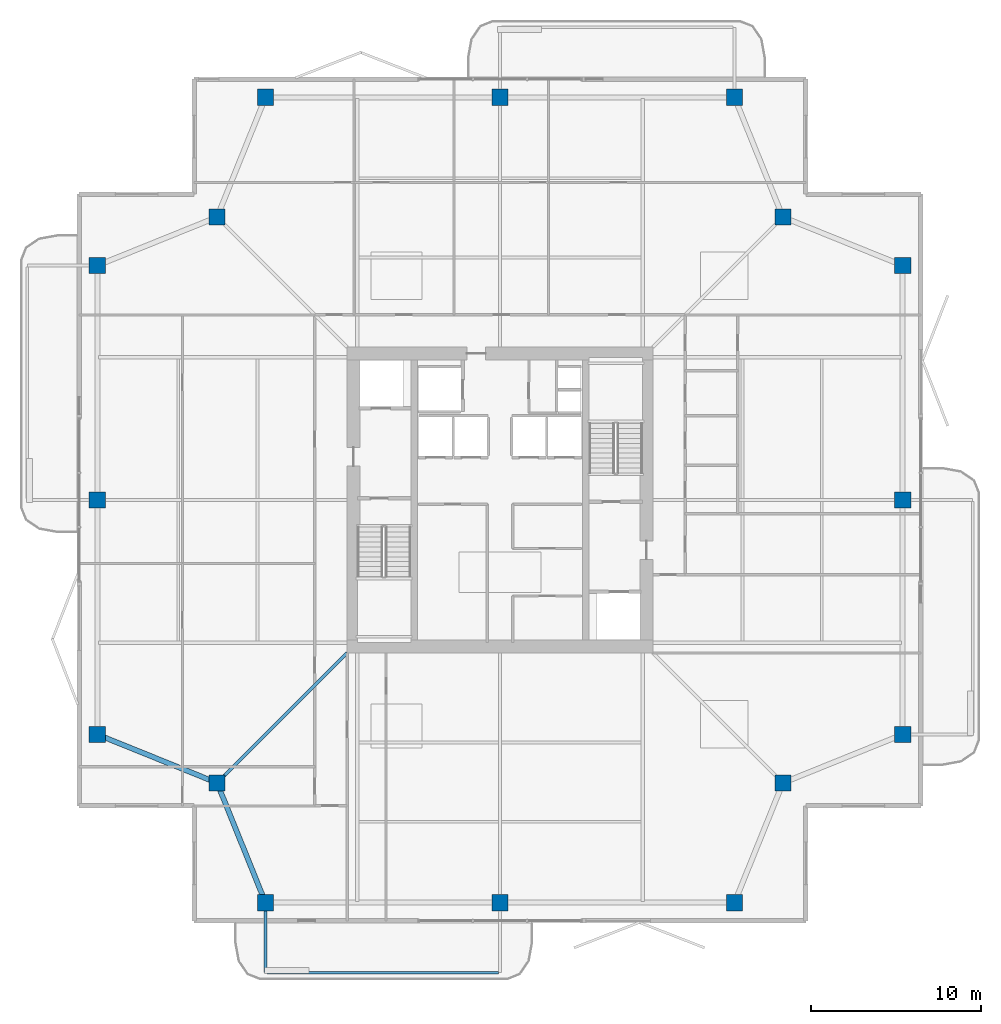
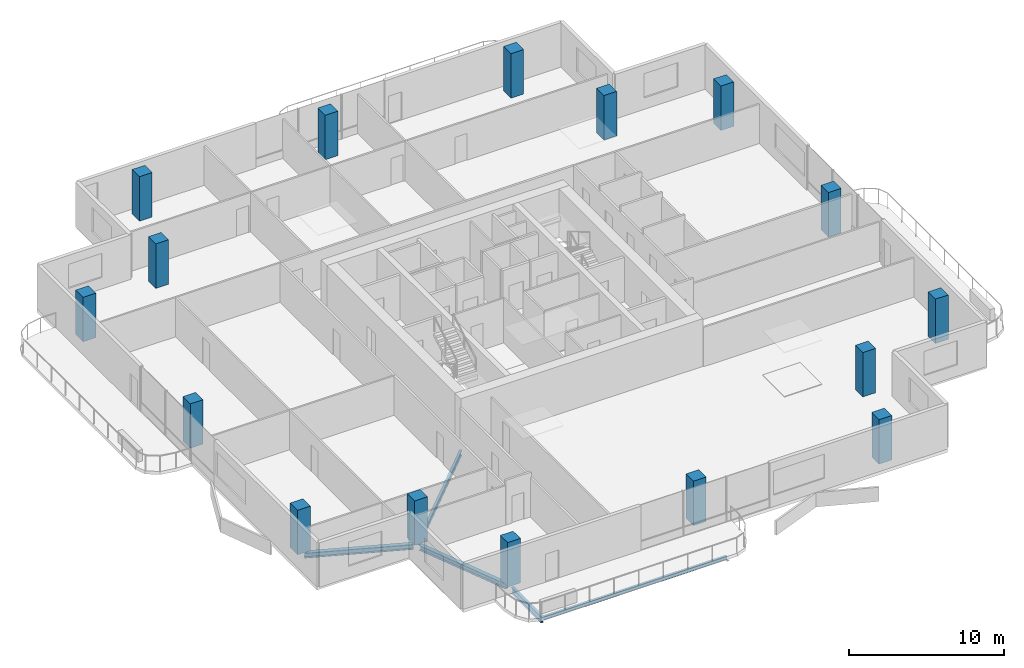
# One storey, part 1 of 25: 16 columns, 5 beams.
"""IFC4 building model written with IfcOpenShell, lengths in metres."""

from ifc_helpers import new_model, si_unit, direction, frame, origin, origin_2d, place, context, subcontext, project, spatial, rectangle, i_section, extrude, material, material_profile, profile_set, type_object, element, save


model = new_model("IFC4")

# Units and contexts
model_context = context("Model", 3, precision=1e-05, world=origin(), true_north=direction((0.0, 1.0)))
body_context = subcontext(model_context, "Body", "Model", "MODEL_VIEW")
ifc_project = project(units=[si_unit("LENGTHUNIT", "METRE"), si_unit("AREAUNIT", "SQUARE_METRE"), si_unit("VOLUMEUNIT", "CUBIC_METRE"), si_unit("PLANEANGLEUNIT", "RADIAN"), si_unit("MASSUNIT", "GRAM", prefix="KILO")], contexts=[model_context])

# Site, building, storey
site_placement = place(None, origin())
site = spatial("IfcSite", under=ifc_project, at=site_placement, CompositionType="ELEMENT")
building_placement = place(site_placement, origin())
building = spatial("IfcBuilding", under=site, at=building_placement, Name="Belovzor Exchange Tower", CompositionType="ELEMENT")
storey_placement = place(building_placement, frame((0.0, 0.0, 254.10009765625)))
storey = spatial("IfcBuildingStorey", under=building, at=storey_placement, Name="L63", CompositionType="ELEMENT", Elevation=254.10009765625)

# Columns
ifc_material_1 = material(Name="Concrete C50/60", Category="concrete")
ifc_material_profile_1 = material_profile(ifc_material_1, rectangle(XDim=0.949951171875, YDim=0.949951171875, at=origin_2d()))
ifc_profile_set_1 = profile_set([ifc_material_profile_1], Name="Concrete C50/60")
column_type = type_object("IfcColumnType", Name="Reinforced Concrete Tower Column 950x950", PredefinedType="COLUMN", material=ifc_profile_set_1)
for number, where, z_axis, x_axis, name in (
    (1, (15.0, 5.10009765625, 0.0029296875), (0.0, 0.0, 1.0), (1.0, 0.0, 0.0), "COL-T095 Reinforced Concrete Tower Column 950x950"),
    (2, (28.800048828125, 5.10009765625, 0.0029296875), (0.0, 0.0, 1.0), (1.0, 0.0, 0.0), "COL-T095 Reinforced Concrete Tower Column 950x950"),
    (3, (42.60009765625, 5.10009765625, 0.0029296875), (0.0, 0.0, 1.0), (1.0, 0.0, 0.0), "COL-T095 Reinforced Concrete Tower Column 950x950"),
    (4, (52.5, 15.0, 0.0029296875), (0.0, 0.0, 1.0), (1.0, 0.0, 0.0), "COL-T095 Reinforced Concrete Tower Column 950x950"),
    (5, (52.5, 28.800048828125, 0.0029296875), (0.0, 0.0, 1.0), (1.0, 0.0, 0.0), "COL-T095 Reinforced Concrete Tower Column 950x950"),
    (6, (52.5, 42.60009765625, 0.0029296875), (0.0, 0.0, 1.0), (1.0, 0.0, 0.0), "COL-T095 Reinforced Concrete Tower Column 950x950"),
    (7, (42.60009765625, 52.5, 0.0029296875), (0.0, 0.0, 1.0), (1.0, 0.0, 0.0), "COL-T095 Reinforced Concrete Tower Column 950x950"),
    (8, (28.800048828125, 52.5, 0.0029296875), (0.0, 0.0, 1.0), (1.0, 0.0, 0.0), "COL-T095 Reinforced Concrete Tower Column 950x950"),
    (9, (15.0, 52.5, 0.0029296875), (0.0, 0.0, 1.0), (1.0, 0.0, 0.0), "COL-T095 Reinforced Concrete Tower Column 950x950"),
    (10, (5.10009765625, 42.60009765625, 0.0029296875), (0.0, 0.0, 1.0), (1.0, 0.0, 0.0), "COL-T095 Reinforced Concrete Tower Column 950x950"),
    (11, (5.10009765625, 28.800048828125, 0.0029296875), (0.0, 0.0, 1.0), (1.0, 0.0, 0.0), "COL-T095 Reinforced Concrete Tower Column 950x950"),
    (12, (5.10009765625, 15.0, 0.0029296875), (0.0, 0.0, 1.0), (1.0, 0.0, 0.0), "COL-T095 Reinforced Concrete Tower Column 950x950"),
    (13, (12.14990234375, 12.14990234375, 0.0029296875), (0.0, 0.0, 1.0), (1.0, 0.0, 0.0), "COL-T095 Reinforced Concrete Tower Column 950x950"),
    (14, (45.449951171875, 12.14990234375, 0.0029296875), (0.0, 0.0, 1.0), (1.0, 0.0, 0.0), "COL-T095 Reinforced Concrete Tower Column 950x950"),
    (15, (45.449951171875, 45.449951171875, 0.0029296875), (0.0, 0.0, 1.0), (1.0, 0.0, 0.0), "COL-T095 Reinforced Concrete Tower Column 950x950"),
    (16, (12.14990234375, 45.449951171875, 0.0029296875), (0.0, 0.0, 1.0), (1.0, 0.0, 0.0), "COL-T095 Reinforced Concrete Tower Column 950x950"),
):
    element("IfcColumn", number, at=place(storey_placement, frame(where, z_axis=z_axis, x_axis=x_axis)), inside=storey, type_object=column_type, Name=name, PredefinedType="COLUMN", context=body_context, shape_type="SweptSolid", body=[
        extrude(rectangle(XDim=0.949951171875, YDim=0.949951171875, at=origin_2d()), origin(), (0.0, 0.0, 1.0), 3.493896484375),
    ])

# Beams
ifc_material_2 = material(Name="Steel S355", Category="steel")
ifc_material_profile_2 = material_profile(ifc_material_2, i_section(OverallWidth=0.199951171875, OverallDepth=0.5, WebThickness=0.01025390625, FlangeThickness=0.01611328125, at=origin_2d()))
ifc_profile_set_2 = profile_set([ifc_material_profile_2], Name="Steel S355")
beam_type_1 = type_object("IfcBeamType", Name="Planted Balcony Cantilever Beam IPE 500", PredefinedType="BEAM", material=ifc_profile_set_2)
beam_1_placement = place(storey_placement, frame((15.0, 4.839111328125, -0.5), z_axis=(0.0, -1.0, 0.0), x_axis=(1.0, 0.0, 0.0)))
element("IfcBeam", 17, at=beam_1_placement, inside=storey, type_object=beam_type_1, Name="BC-500 Planted Balcony Cantilever Beam IPE 500", PredefinedType="BEAM", context=body_context, shape_type="SweptSolid", body=[
    extrude(i_section(OverallWidth=0.199951171875, OverallDepth=0.5, WebThickness=0.01025390625, FlangeThickness=0.01611328125, at=origin_2d()), origin(), (0.0, 0.0, 1.0), 3.85009765625),
])
ifc_material_3 = material(Name="Steel S355", Category="steel")
ifc_material_profile_3 = material_profile(ifc_material_3, i_section(OverallWidth=0.14990234375, OverallDepth=0.300048828125, WebThickness=0.007080078125, FlangeThickness=0.0107421875, at=origin_2d()))
ifc_profile_set_3 = profile_set([ifc_material_profile_3], Name="Steel S355")
beam_type_2 = type_object("IfcBeamType", Name="Planted Balcony Fascia Edge Beam IPE 300", PredefinedType="BEAM", material=ifc_profile_set_3)
beam_2_placement = place(storey_placement, frame((15.10009765625, 0.989013671875, -0.400146484375), z_axis=(1.0, 0.0, 0.0), x_axis=(0.0, 1.0, 0.0)))
element("IfcBeam", 18, at=beam_2_placement, inside=storey, type_object=beam_type_2, Name="BC-300 Planted Balcony Fascia Edge Beam IPE 300", PredefinedType="BEAM", context=body_context, shape_type="SweptSolid", body=[
    extrude(i_section(OverallWidth=0.14990234375, OverallDepth=0.300048828125, WebThickness=0.007080078125, FlangeThickness=0.0107421875, at=origin_2d()), origin(), (0.0, 0.0, 1.0), 13.599853515625),
])
ifc_material_4 = material(Name="Steel S355", Category="steel")
ifc_material_profile_4 = material_profile(ifc_material_4, i_section(OverallWidth=0.300048828125, OverallDepth=0.39990234375, WebThickness=0.013427734375, FlangeThickness=0.02392578125, at=origin_2d()))
ifc_profile_set_4 = profile_set([ifc_material_profile_4], Name="Steel S355")
beam_type_3 = type_object("IfcBeamType", Name="Zone 5 Primary Girder HEB 400", PredefinedType="BEAM", material=ifc_profile_set_4)
for number, where, z_axis, x_axis, name in (
    (19, (12.248046875, 11.907958984375, -0.4501953125), (0.374758283536, -0.927122553345, 0.0), (0.927122553345, 0.374758283536, 0.0), "FG-Z5 Zone 5 Primary Girder HEB 400"),
    (20, (5.342041015625, 14.902099609375, -0.4501953125), (0.927122553345, -0.374758283536, 0.0), (0.374758283536, 0.927122553345, 0.0), "FG-Z5 Zone 5 Primary Girder HEB 400"),
):
    element("IfcBeam", number, at=place(storey_placement, frame(where, z_axis=z_axis, x_axis=x_axis)), inside=storey, type_object=beam_type_3, Name=name, PredefinedType="BEAM", context=body_context, shape_type="SweptSolid", body=[
        extrude(i_section(OverallWidth=0.300048828125, OverallDepth=0.39990234375, WebThickness=0.013427734375, FlangeThickness=0.02392578125, at=origin_2d()), origin(), (0.0, 0.0, 1.0), 7.08203125),
    ])
ifc_material_5 = material(Name="Steel S355", Category="steel")
ifc_material_profile_5 = material_profile(ifc_material_5, i_section(OverallWidth=0.179931640625, OverallDepth=0.39990234375, WebThickness=0.008544921875, FlangeThickness=0.013427734375, at=origin_2d()))
ifc_profile_set_5 = profile_set([ifc_material_profile_5], Name="Steel S355")
beam_type_4 = type_object("IfcBeamType", Name="Zone 5-6 Radial Composite Floor Beam IPE 400", PredefinedType="BEAM", material=ifc_profile_set_5)
beam_3_placement = place(storey_placement, frame((19.800048828125, 19.800048828125, -0.4501953125), z_axis=(-0.707106781187, -0.707106781187, 0.0), x_axis=(0.707106781187, -0.707106781187, 0.0)))
element("IfcBeam", 21, at=beam_3_placement, inside=storey, type_object=beam_type_4, Name="FB-400 Zone 5-6 Radial Composite Floor Beam IPE 400", PredefinedType="BEAM", context=body_context, shape_type="SweptSolid", body=[
    extrude(i_section(OverallWidth=0.179931640625, OverallDepth=0.39990234375, WebThickness=0.008544921875, FlangeThickness=0.013427734375, at=origin_2d()), origin(), (0.0, 0.0, 1.0), 10.482421875),
])

save(model, "model.ifc")
